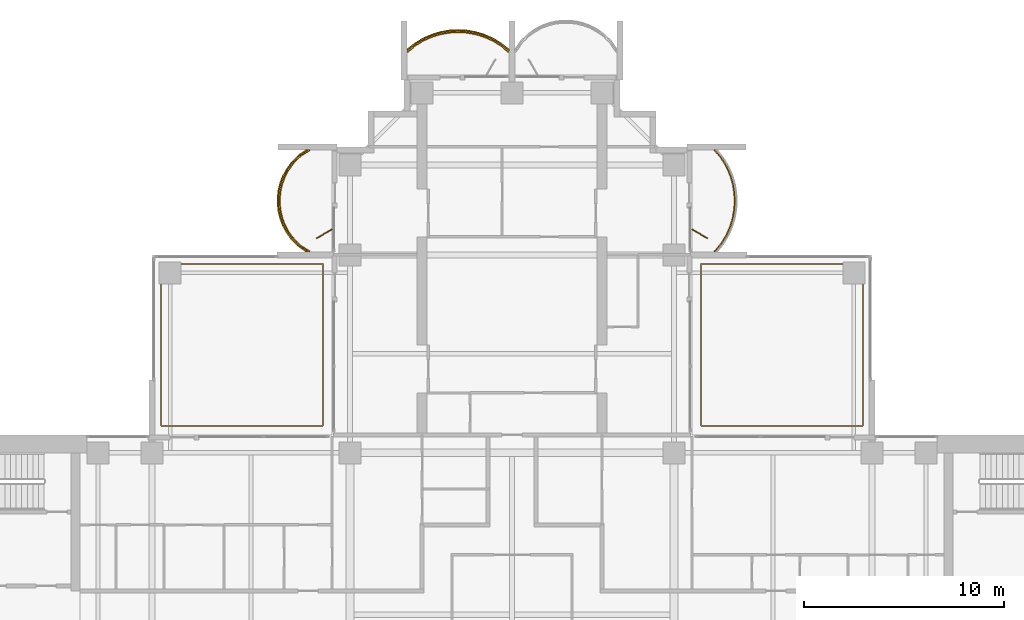
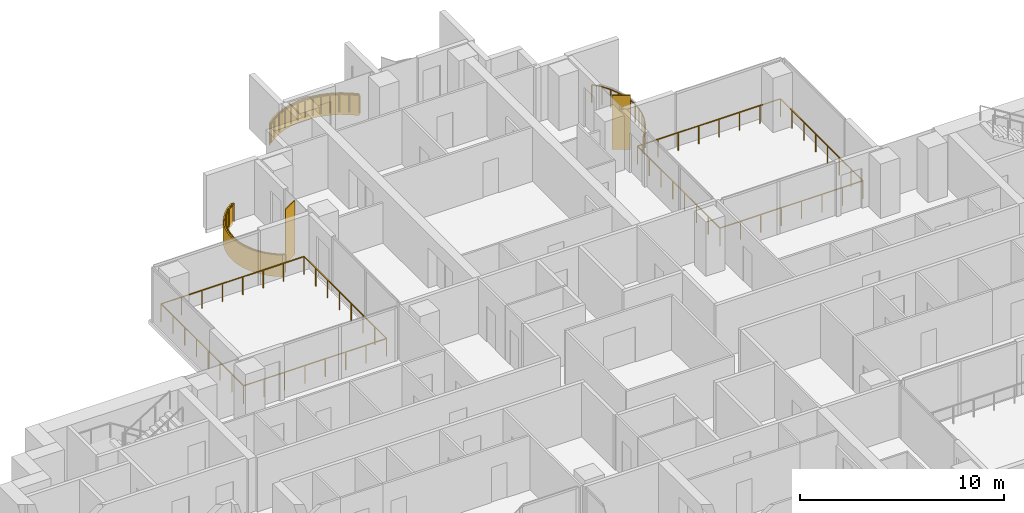
# One storey, part 17 of 18: 5 railings, 2 coverings, 2 shading devices.
"""IFC4 building model written with IfcOpenShell, lengths in metres."""

from ifc_helpers import new_model, si_unit, direction, frame, origin, origin_2d, place, context, subcontext, project, spatial, polyline, rectangle, outline, extrude, material, layer, layer_set, type_object, element, save


model = new_model("IFC4")

# Units and contexts
model_context = context("Model", 3, precision=1e-05, world=origin(), true_north=direction((0.0, 1.0)))
body_context = subcontext(model_context, "Body", "Model", "MODEL_VIEW")
ifc_project = project(units=[si_unit("LENGTHUNIT", "METRE"), si_unit("AREAUNIT", "SQUARE_METRE"), si_unit("VOLUMEUNIT", "CUBIC_METRE"), si_unit("PLANEANGLEUNIT", "RADIAN"), si_unit("MASSUNIT", "GRAM", prefix="KILO")], contexts=[model_context])

# Site, building, storey
site_placement = place(None, origin())
site = spatial("IfcSite", under=ifc_project, at=site_placement, CompositionType="ELEMENT")
building_placement = place(site_placement, origin())
building = spatial("IfcBuilding", under=site, at=building_placement, Name="Perihelion Cross Residences", CompositionType="ELEMENT")
storey_placement = place(building_placement, frame((0.0, 0.0, 133.89990234375)))
storey = spatial("IfcBuildingStorey", under=building, at=storey_placement, Name="L32", CompositionType="ELEMENT", Elevation=133.89990234375)

# Coverings
ifc_material_1 = material(Name="Bronze anodised aluminium", Category="aluminium")
ifc_layer_1 = layer(ifc_material_1, 0.070068359375)
ifc_layer_set_1 = layer_set([ifc_layer_1], Name="Balcony fascia 1300")
covering_type = type_object("IfcCoveringType", Name="Balcony fascia 1300", PredefinedType="CLADDING", material=ifc_layer_set_1)
covering_1_placement = place(storey_placement, frame((0.0, 0.0, -0.199951171875)))
element("IfcCovering", 1, at=covering_1_placement, inside=storey, type_object=covering_type, Name="Fascia BF1 L32 north tip north bay 2", PredefinedType="CLADDING", context=body_context, shape_type="SweptSolid", body=[
    extrude(outline(polyline([(-0.53515625, 28.59765625), (-0.96826171875, 28.85498046875), (-1.401123046875, 29.04248046875), (-1.833984375, 29.170654296875), (-2.26708984375, 29.245361328125), (-2.699951171875, 29.27001953125), (-3.133056640625, 29.245361328125), (-3.56591796875, 29.170654296875), (-3.998779296875, 29.04248046875), (-4.431884765625, 28.85498046875), (-4.86474609375, 28.59765625), (-5.25, 28.28955078125), (-5.25, 28.199951171875), (-4.824951171875, 28.5400390625), (-4.39990234375, 28.792724609375), (-3.97509765625, 28.9765625), (-3.550048828125, 29.1025390625), (-3.125, 29.17578125), (-2.699951171875, 29.199951171875), (-2.27490234375, 29.17578125), (-1.85009765625, 29.1025390625), (-1.425048828125, 28.9765625), (-1.0, 28.792724609375), (-0.574951171875, 28.5400390625), (-0.14990234375, 28.199951171875), (-0.14990234375, 28.28955078125), (-0.53515625, 28.59765625)])), origin(), (0.0, 0.0, 1.0), 1.300048828125),
])
covering_2_placement = place(storey_placement, frame((0.0, 0.0, -0.199951171875)))
element("IfcCovering", 2, at=covering_2_placement, inside=storey, type_object=covering_type, Name="Fascia BF1 L32 north side west bay 1", PredefinedType="CLADDING", context=body_context, shape_type="SweptSolid", body=[
    extrude(outline(polyline([(-10.722412109375, 22.963134765625), (-11.060791015625, 22.61474609375), (-11.308837890625, 22.2666015625), (-11.4912109375, 21.91845703125), (-11.620361328125, 21.5703125), (-11.703369140625, 21.22216796875), (-11.743896484375, 20.8740234375), (-11.743896484375, 20.52587890625), (-11.703369140625, 20.177734375), (-11.620361328125, 19.82958984375), (-11.4912109375, 19.4814453125), (-11.308837890625, 19.13330078125), (-11.060791015625, 18.78515625), (-10.722412109375, 18.43701171875), (-10.320556640625, 18.14990234375), (-10.199951171875, 18.14990234375), (-10.6767578125, 18.489990234375), (-11.007080078125, 18.830078125), (-11.2490234375, 19.169921875), (-11.42724609375, 19.510009765625), (-11.553466796875, 19.85009765625), (-11.63427734375, 20.18994140625), (-11.674072265625, 20.530029296875), (-11.674072265625, 20.8701171875), (-11.63427734375, 21.2099609375), (-11.553466796875, 21.550048828125), (-11.42724609375, 21.889892578125), (-11.2490234375, 22.22998046875), (-11.007080078125, 22.570068359375), (-10.6767578125, 22.909912109375), (-10.199951171875, 23.25), (-10.320556640625, 23.25), (-10.722412109375, 22.963134765625)])), origin(), (0.0, 0.0, 1.0), 1.300048828125),
])

# Railings
ifc_material_2 = material(Name="Bronze anodised aluminium", Category="aluminium")
railing_type = type_object("IfcRailingType", Name="Balcony guard 1100", PredefinedType="GUARDRAIL", material=ifc_material_2)
railing_1_placement = place(storey_placement, frame((10.139892578125, 18.175048828125, 0.0)))
element("IfcRailing", 3, at=railing_1_placement, inside=storey, type_object=railing_type, Name="Guard GU1 L32 north side east bay 2 balcony", PredefinedType="GUARDRAIL", context=body_context, shape_type="SweptSolid", body=[
    extrude(rectangle(XDim=0.048095703125, YDim=0.048095703125, at=origin_2d()), frame((0.0, 0.0, 1.076171875), z_axis=(0.647837396648, 0.761778647315, 0.0), x_axis=(-0.761778647315, 0.647837396648, 0.0)), (0.0, 0.0, 1.0), 0.52490234375),
    extrude(rectangle(XDim=0.048095703125, YDim=0.048095703125, at=origin_2d()), frame((0.340087890625, 0.39990234375, 1.076171875), z_axis=(0.511006381501, 0.859576918062, 0.0), x_axis=(-0.859576918062, 0.511006381501, 0.0)), (0.0, 0.0, 1.0), 0.494384765625),
    extrude(rectangle(XDim=0.048095703125, YDim=0.048095703125, at=origin_2d()), frame((0.5927734375, 0.824951171875, 1.076171875), z_axis=(0.397415137459, 0.917638931453, 0.0), x_axis=(-0.917638931453, 0.397415137459, 0.0)), (0.0, 0.0, 1.0), 0.463134765625),
    extrude(rectangle(XDim=0.048095703125, YDim=0.048095703125, at=origin_2d()), frame((0.77685546875, 1.25, 1.076171875), z_axis=(0.283656975924, 0.958925815697, 0.0), x_axis=(-0.958925815697, 0.283656975924, 0.0)), (0.0, 0.0, 1.0), 0.443359375),
    extrude(rectangle(XDim=0.048095703125, YDim=0.048095703125, at=origin_2d()), frame((0.902587890625, 1.675048828125, 1.076171875), z_axis=(0.170456843651, 0.985365142702, 0.0), x_axis=(-0.985365142702, 0.170456843651, 0.0)), (0.0, 0.0, 1.0), 0.43115234375),
    extrude(rectangle(XDim=0.048095703125, YDim=0.048095703125, at=origin_2d()), frame((0.97607421875, 2.099853515625, 1.076171875), z_axis=(0.056200523353, 0.9984195016, 0.0), x_axis=(-0.9984195016, 0.056200523353, 0.0)), (0.0, 0.0, 1.0), 0.42578125),
    extrude(rectangle(XDim=0.048095703125, YDim=0.048095703125, at=origin_2d()), frame((1.0, 2.52490234375, 1.076171875), z_axis=(-0.056200523353, 0.9984195016, 0.0), x_axis=(-0.9984195016, -0.056200523353, 0.0)), (0.0, 0.0, 1.0), 0.42578125),
    extrude(rectangle(XDim=0.048095703125, YDim=0.048095703125, at=origin_2d()), frame((0.97607421875, 2.949951171875, 1.076171875), z_axis=(-0.17036177859, 0.985381583142, 0.0), x_axis=(-0.985381583142, -0.17036177859, 0.0)), (0.0, 0.0, 1.0), 0.431396484375),
    extrude(rectangle(XDim=0.048095703125, YDim=0.048095703125, at=origin_2d()), frame((0.902587890625, 3.375, 1.076171875), z_axis=(-0.283656975924, 0.958925815697, 0.0), x_axis=(-0.958925815697, -0.283656975924, 0.0)), (0.0, 0.0, 1.0), 0.443359375),
    extrude(rectangle(XDim=0.048095703125, YDim=0.048095703125, at=origin_2d()), frame((0.77685546875, 3.800048828125, 1.076171875), z_axis=(-0.397607437634, 0.91755562531, 0.0), x_axis=(-0.91755562531, -0.397607437634, 0.0)), (0.0, 0.0, 1.0), 0.462890625),
    extrude(rectangle(XDim=0.048095703125, YDim=0.048095703125, at=origin_2d()), frame((0.5927734375, 4.224853515625, 1.076171875), z_axis=(-0.511006381501, 0.859576918062, 0.0), x_axis=(-0.859576918062, -0.511006381501, 0.0)), (0.0, 0.0, 1.0), 0.494384765625),
    extrude(rectangle(XDim=0.048095703125, YDim=0.048095703125, at=origin_2d()), frame((0.340087890625, 4.64990234375, 1.076171875), z_axis=(-0.647607934281, 0.761973728849, 0.0), x_axis=(-0.761973728849, -0.647607934281, 0.0)), (0.0, 0.0, 1.0), 0.525146484375),
    extrude(rectangle(XDim=0.0419921875, YDim=0.0419921875, at=origin_2d()), origin(), (0.0, 0.0, 1.0), 1.052001953125),
    extrude(rectangle(XDim=0.0419921875, YDim=0.0419921875, at=origin_2d()), frame((0.340087890625, 0.39990234375, 0.0)), (0.0, 0.0, 1.0), 1.052001953125),
    extrude(rectangle(XDim=0.0419921875, YDim=0.0419921875, at=origin_2d()), frame((0.5927734375, 0.824951171875, 0.0)), (0.0, 0.0, 1.0), 1.052001953125),
    extrude(rectangle(XDim=0.0419921875, YDim=0.0419921875, at=origin_2d()), frame((0.77685546875, 1.25, 0.0)), (0.0, 0.0, 1.0), 1.052001953125),
    extrude(rectangle(XDim=0.0419921875, YDim=0.0419921875, at=origin_2d()), frame((0.902587890625, 1.675048828125, 0.0)), (0.0, 0.0, 1.0), 1.052001953125),
    extrude(rectangle(XDim=0.0419921875, YDim=0.0419921875, at=origin_2d()), frame((0.97607421875, 2.099853515625, 0.0)), (0.0, 0.0, 1.0), 1.052001953125),
    extrude(rectangle(XDim=0.0419921875, YDim=0.0419921875, at=origin_2d()), frame((1.0, 2.52490234375, 0.0)), (0.0, 0.0, 1.0), 1.052001953125),
    extrude(rectangle(XDim=0.0419921875, YDim=0.0419921875, at=origin_2d()), frame((0.97607421875, 2.949951171875, 0.0)), (0.0, 0.0, 1.0), 1.052001953125),
    extrude(rectangle(XDim=0.0419921875, YDim=0.0419921875, at=origin_2d()), frame((0.902587890625, 3.375, 0.0)), (0.0, 0.0, 1.0), 1.052001953125),
    extrude(rectangle(XDim=0.0419921875, YDim=0.0419921875, at=origin_2d()), frame((0.77685546875, 3.800048828125, 0.0)), (0.0, 0.0, 1.0), 1.052001953125),
    extrude(rectangle(XDim=0.0419921875, YDim=0.0419921875, at=origin_2d()), frame((0.5927734375, 4.224853515625, 0.0)), (0.0, 0.0, 1.0), 1.052001953125),
    extrude(rectangle(XDim=0.0419921875, YDim=0.0419921875, at=origin_2d()), frame((0.340087890625, 4.64990234375, 0.0)), (0.0, 0.0, 1.0), 1.052001953125),
    extrude(rectangle(XDim=0.0419921875, YDim=0.0419921875, at=origin_2d()), frame((0.0, 5.050048828125, 0.0)), (0.0, 0.0, 1.0), 1.052001953125),
])
railing_2_placement = place(storey_placement, frame((-0.175048828125, 28.139892578125, 0.0)))
element("IfcRailing", 4, at=railing_2_placement, inside=storey, type_object=railing_type, Name="Guard GU1 L32 north tip north bay 2 balcony", PredefinedType="GUARDRAIL", context=body_context, shape_type="SweptSolid", body=[
    extrude(rectangle(XDim=0.048095703125, YDim=0.048095703125, at=origin_2d()), frame((0.0, 0.0, 1.076171875), z_axis=(-0.761778647315, 0.647837396648, 0.0), x_axis=(-0.647837396648, -0.761778647315, 0.0)), (0.0, 0.0, 1.0), 0.52490234375),
    extrude(rectangle(XDim=0.048095703125, YDim=0.048095703125, at=origin_2d()), frame((-0.39990234375, 0.340087890625, 1.076171875), z_axis=(-0.859576918062, 0.511006381501, 0.0), x_axis=(-0.511006381501, -0.859576918062, 0.0)), (0.0, 0.0, 1.0), 0.494384765625),
    extrude(rectangle(XDim=0.048095703125, YDim=0.048095703125, at=origin_2d()), frame((-0.824951171875, 0.5927734375, 1.076171875), z_axis=(-0.917638931453, 0.397415137459, 0.0), x_axis=(-0.397415137459, -0.917638931453, 0.0)), (0.0, 0.0, 1.0), 0.463134765625),
    extrude(rectangle(XDim=0.048095703125, YDim=0.048095703125, at=origin_2d()), frame((-1.25, 0.77685546875, 1.076171875), z_axis=(-0.958925815697, 0.283656975924, 0.0), x_axis=(-0.283656975924, -0.958925815697, 0.0)), (0.0, 0.0, 1.0), 0.443359375),
    extrude(rectangle(XDim=0.048095703125, YDim=0.048095703125, at=origin_2d()), frame((-1.675048828125, 0.902587890625, 1.076171875), z_axis=(-0.985365142702, 0.170456843651, 0.0), x_axis=(-0.170456843651, -0.985365142702, 0.0)), (0.0, 0.0, 1.0), 0.43115234375),
    extrude(rectangle(XDim=0.048095703125, YDim=0.048095703125, at=origin_2d()), frame((-2.099853515625, 0.97607421875, 1.076171875), z_axis=(-0.9984195016, 0.056200523353, 0.0), x_axis=(-0.056200523353, -0.9984195016, 0.0)), (0.0, 0.0, 1.0), 0.42578125),
    extrude(rectangle(XDim=0.048095703125, YDim=0.048095703125, at=origin_2d()), frame((-2.52490234375, 1.0, 1.076171875), z_axis=(-0.9984195016, -0.056200523353, 0.0), x_axis=(0.056200523353, -0.9984195016, 0.0)), (0.0, 0.0, 1.0), 0.42578125),
    extrude(rectangle(XDim=0.048095703125, YDim=0.048095703125, at=origin_2d()), frame((-2.949951171875, 0.97607421875, 1.076171875), z_axis=(-0.985381583142, -0.17036177859, 0.0), x_axis=(0.17036177859, -0.985381583142, 0.0)), (0.0, 0.0, 1.0), 0.431396484375),
    extrude(rectangle(XDim=0.048095703125, YDim=0.048095703125, at=origin_2d()), frame((-3.375, 0.902587890625, 1.076171875), z_axis=(-0.958925815697, -0.283656975924, 0.0), x_axis=(0.283656975924, -0.958925815697, 0.0)), (0.0, 0.0, 1.0), 0.443359375),
    extrude(rectangle(XDim=0.048095703125, YDim=0.048095703125, at=origin_2d()), frame((-3.800048828125, 0.77685546875, 1.076171875), z_axis=(-0.91755562531, -0.397607437634, 0.0), x_axis=(0.397607437634, -0.91755562531, 0.0)), (0.0, 0.0, 1.0), 0.462890625),
    extrude(rectangle(XDim=0.048095703125, YDim=0.048095703125, at=origin_2d()), frame((-4.224853515625, 0.5927734375, 1.076171875), z_axis=(-0.859576918062, -0.511006381501, 0.0), x_axis=(0.511006381501, -0.859576918062, 0.0)), (0.0, 0.0, 1.0), 0.494384765625),
    extrude(rectangle(XDim=0.048095703125, YDim=0.048095703125, at=origin_2d()), frame((-4.64990234375, 0.340087890625, 1.076171875), z_axis=(-0.761973728849, -0.647607934281, 0.0), x_axis=(0.647607934281, -0.761973728849, 0.0)), (0.0, 0.0, 1.0), 0.525146484375),
    extrude(rectangle(XDim=0.0419921875, YDim=0.0419921875, at=origin_2d()), origin(), (0.0, 0.0, 1.0), 1.052001953125),
    extrude(rectangle(XDim=0.0419921875, YDim=0.0419921875, at=origin_2d()), frame((-0.39990234375, 0.340087890625, 0.0)), (0.0, 0.0, 1.0), 1.052001953125),
    extrude(rectangle(XDim=0.0419921875, YDim=0.0419921875, at=origin_2d()), frame((-0.824951171875, 0.5927734375, 0.0)), (0.0, 0.0, 1.0), 1.052001953125),
    extrude(rectangle(XDim=0.0419921875, YDim=0.0419921875, at=origin_2d()), frame((-1.25, 0.77685546875, 0.0)), (0.0, 0.0, 1.0), 1.052001953125),
    extrude(rectangle(XDim=0.0419921875, YDim=0.0419921875, at=origin_2d()), frame((-1.675048828125, 0.902587890625, 0.0)), (0.0, 0.0, 1.0), 1.052001953125),
    extrude(rectangle(XDim=0.0419921875, YDim=0.0419921875, at=origin_2d()), frame((-2.099853515625, 0.97607421875, 0.0)), (0.0, 0.0, 1.0), 1.052001953125),
    extrude(rectangle(XDim=0.0419921875, YDim=0.0419921875, at=origin_2d()), frame((-2.52490234375, 1.0, 0.0)), (0.0, 0.0, 1.0), 1.052001953125),
    extrude(rectangle(XDim=0.0419921875, YDim=0.0419921875, at=origin_2d()), frame((-2.949951171875, 0.97607421875, 0.0)), (0.0, 0.0, 1.0), 1.052001953125),
    extrude(rectangle(XDim=0.0419921875, YDim=0.0419921875, at=origin_2d()), frame((-3.375, 0.902587890625, 0.0)), (0.0, 0.0, 1.0), 1.052001953125),
    extrude(rectangle(XDim=0.0419921875, YDim=0.0419921875, at=origin_2d()), frame((-3.800048828125, 0.77685546875, 0.0)), (0.0, 0.0, 1.0), 1.052001953125),
    extrude(rectangle(XDim=0.0419921875, YDim=0.0419921875, at=origin_2d()), frame((-4.224853515625, 0.5927734375, 0.0)), (0.0, 0.0, 1.0), 1.052001953125),
    extrude(rectangle(XDim=0.0419921875, YDim=0.0419921875, at=origin_2d()), frame((-4.64990234375, 0.340087890625, 0.0)), (0.0, 0.0, 1.0), 1.052001953125),
    extrude(rectangle(XDim=0.0419921875, YDim=0.0419921875, at=origin_2d()), frame((-5.050048828125, 0.0, 0.0)), (0.0, 0.0, 1.0), 1.052001953125),
])
railing_3_placement = place(storey_placement, frame((-10.139892578125, 23.22509765625, 0.0)))
element("IfcRailing", 5, at=railing_3_placement, inside=storey, type_object=railing_type, Name="Guard GU1 L32 north side west bay 1 balcony", PredefinedType="GUARDRAIL", context=body_context, shape_type="SweptSolid", body=[
    extrude(rectangle(XDim=0.048095703125, YDim=0.048095703125, at=origin_2d()), frame((0.0, 0.0, 1.076171875), z_axis=(-0.834212513801, -0.55144309028, 0.0), x_axis=(0.55144309028, -0.834212513801, 0.0)), (0.0, 0.0, 1.0), 0.571533203125),
    extrude(rectangle(XDim=0.048095703125, YDim=0.048095703125, at=origin_2d()), frame((-0.476806640625, -0.315185546875, 1.076171875), z_axis=(-0.696990112603, -0.717080736691, 0.0), x_axis=(0.717080736691, -0.696990112603, 0.0)), (0.0, 0.0, 1.0), 0.473876953125),
    extrude(rectangle(XDim=0.048095703125, YDim=0.048095703125, at=origin_2d()), frame((-0.80712890625, -0.655029296875, 1.076171875), z_axis=(-0.580075995532, -0.814562360662, 0.0), x_axis=(0.814562360662, -0.580075995532, 0.0)), (0.0, 0.0, 1.0), 0.41748046875),
    extrude(rectangle(XDim=0.048095703125, YDim=0.048095703125, at=origin_2d()), frame((-1.04931640625, -0.9951171875, 1.076171875), z_axis=(-0.463674228502, -0.886005761733, 0.0), x_axis=(0.886005761733, -0.463674228502, 0.0)), (0.0, 0.0, 1.0), 0.3837890625),
    extrude(rectangle(XDim=0.048095703125, YDim=0.048095703125, at=origin_2d()), frame((-1.227294921875, -1.335205078125, 1.076171875), z_axis=(-0.348169621027, -0.937431552165, 0.0), x_axis=(0.937431552165, -0.348169621027, 0.0)), (0.0, 0.0, 1.0), 0.362548828125),
    extrude(rectangle(XDim=0.048095703125, YDim=0.048095703125, at=origin_2d()), frame((-1.353515625, -1.675048828125, 1.076171875), z_axis=(-0.231840805498, -0.972753741142, 0.0), x_axis=(0.972753741142, -0.231840805498, 0.0)), (0.0, 0.0, 1.0), 0.349609375),
    extrude(rectangle(XDim=0.048095703125, YDim=0.048095703125, at=origin_2d()), frame((-1.4345703125, -2.01513671875, 1.076171875), z_axis=(-0.11559909788, -0.993295952156, 0.0), x_axis=(0.993295952156, -0.11559909788, 0.0)), (0.0, 0.0, 1.0), 0.342041015625),
    extrude(rectangle(XDim=0.048095703125, YDim=0.048095703125, at=origin_2d()), frame((-1.47412109375, -2.35498046875, 1.076171875), z_axis=(0.0, -1.0, 0.0), x_axis=(1.0, 0.0, 0.0)), (0.0, 0.0, 1.0), 0.340087890625),
    extrude(rectangle(XDim=0.048095703125, YDim=0.048095703125, at=origin_2d()), frame((-1.47412109375, -2.695068359375, 1.076171875), z_axis=(0.11551721994, -0.993305477634, 0.0), x_axis=(0.993305477634, 0.11551721994, 0.0)), (0.0, 0.0, 1.0), 0.34228515625),
    extrude(rectangle(XDim=0.048095703125, YDim=0.048095703125, at=origin_2d()), frame((-1.4345703125, -3.03515625, 1.076171875), z_axis=(0.231998396458, -0.972716168284, 0.0), x_axis=(0.972716168284, 0.231998396458, 0.0)), (0.0, 0.0, 1.0), 0.349365234375),
    extrude(rectangle(XDim=0.048095703125, YDim=0.048095703125, at=origin_2d()), frame((-1.353515625, -3.375, 1.076171875), z_axis=(0.347949948587, -0.93751311099, 0.0), x_axis=(0.93751311099, 0.347949948587, 0.0)), (0.0, 0.0, 1.0), 0.36279296875),
    extrude(rectangle(XDim=0.048095703125, YDim=0.048095703125, at=origin_2d()), frame((-1.227294921875, -3.715087890625, 1.076171875), z_axis=(0.463674228502, -0.886005761733, 0.0), x_axis=(0.886005761733, 0.463674228502, 0.0)), (0.0, 0.0, 1.0), 0.3837890625),
    extrude(rectangle(XDim=0.048095703125, YDim=0.048095703125, at=origin_2d()), frame((-1.04931640625, -4.05517578125, 1.076171875), z_axis=(0.580352394782, -0.814365457194, 0.0), x_axis=(0.814365457194, 0.580352394782, 0.0)), (0.0, 0.0, 1.0), 0.417236328125),
    extrude(rectangle(XDim=0.048095703125, YDim=0.048095703125, at=origin_2d()), frame((-0.80712890625, -4.39501953125, 1.076171875), z_axis=(0.69673269466, -0.717330852669, 0.0), x_axis=(0.717330852669, 0.69673269466, 0.0)), (0.0, 0.0, 1.0), 0.47412109375),
    extrude(rectangle(XDim=0.048095703125, YDim=0.048095703125, at=origin_2d()), frame((-0.476806640625, -4.735107421875, 1.076171875), z_axis=(0.834409002258, -0.551145731138, 0.0), x_axis=(0.551145731138, 0.834409002258, 0.0)), (0.0, 0.0, 1.0), 0.571533203125),
    extrude(rectangle(XDim=0.0419921875, YDim=0.0419921875, at=origin_2d()), origin(), (0.0, 0.0, 1.0), 1.052001953125),
    extrude(rectangle(XDim=0.0419921875, YDim=0.0419921875, at=origin_2d()), frame((-0.476806640625, -0.315185546875, 0.0)), (0.0, 0.0, 1.0), 1.052001953125),
    extrude(rectangle(XDim=0.0419921875, YDim=0.0419921875, at=origin_2d()), frame((-0.80712890625, -0.655029296875, 0.0)), (0.0, 0.0, 1.0), 1.052001953125),
    extrude(rectangle(XDim=0.0419921875, YDim=0.0419921875, at=origin_2d()), frame((-1.04931640625, -0.9951171875, 0.0)), (0.0, 0.0, 1.0), 1.052001953125),
    extrude(rectangle(XDim=0.0419921875, YDim=0.0419921875, at=origin_2d()), frame((-1.227294921875, -1.335205078125, 0.0)), (0.0, 0.0, 1.0), 1.052001953125),
    extrude(rectangle(XDim=0.0419921875, YDim=0.0419921875, at=origin_2d()), frame((-1.353515625, -1.675048828125, 0.0)), (0.0, 0.0, 1.0), 1.052001953125),
    extrude(rectangle(XDim=0.0419921875, YDim=0.0419921875, at=origin_2d()), frame((-1.4345703125, -2.01513671875, 0.0)), (0.0, 0.0, 1.0), 1.052001953125),
    extrude(rectangle(XDim=0.0419921875, YDim=0.0419921875, at=origin_2d()), frame((-1.47412109375, -2.35498046875, 0.0)), (0.0, 0.0, 1.0), 1.052001953125),
    extrude(rectangle(XDim=0.0419921875, YDim=0.0419921875, at=origin_2d()), frame((-1.47412109375, -2.695068359375, 0.0)), (0.0, 0.0, 1.0), 1.052001953125),
    extrude(rectangle(XDim=0.0419921875, YDim=0.0419921875, at=origin_2d()), frame((-1.4345703125, -3.03515625, 0.0)), (0.0, 0.0, 1.0), 1.052001953125),
    extrude(rectangle(XDim=0.0419921875, YDim=0.0419921875, at=origin_2d()), frame((-1.353515625, -3.375, 0.0)), (0.0, 0.0, 1.0), 1.052001953125),
    extrude(rectangle(XDim=0.0419921875, YDim=0.0419921875, at=origin_2d()), frame((-1.227294921875, -3.715087890625, 0.0)), (0.0, 0.0, 1.0), 1.052001953125),
    extrude(rectangle(XDim=0.0419921875, YDim=0.0419921875, at=origin_2d()), frame((-1.04931640625, -4.05517578125, 0.0)), (0.0, 0.0, 1.0), 1.052001953125),
    extrude(rectangle(XDim=0.0419921875, YDim=0.0419921875, at=origin_2d()), frame((-0.80712890625, -4.39501953125, 0.0)), (0.0, 0.0, 1.0), 1.052001953125),
    extrude(rectangle(XDim=0.0419921875, YDim=0.0419921875, at=origin_2d()), frame((-0.476806640625, -4.735107421875, 0.0)), (0.0, 0.0, 1.0), 1.052001953125),
    extrude(rectangle(XDim=0.0419921875, YDim=0.0419921875, at=origin_2d()), frame((0.0, -5.050048828125, 0.0)), (0.0, 0.0, 1.0), 1.052001953125),
])
railing_4_placement = place(storey_placement, frame((17.550048828125, 9.449951171875, 0.0)))
element("IfcRailing", 6, at=railing_4_placement, inside=storey, type_object=railing_type, Name="Guard GU1 L32 pocket north-east 1", PredefinedType="GUARDRAIL", context=body_context, shape_type="SweptSolid", body=[
    extrude(rectangle(XDim=0.048095703125, YDim=0.048095703125, at=origin_2d()), frame((0.0, 0.0, 1.076171875), z_axis=(-1.0, 0.0, 0.0), x_axis=(0.0, -1.0, 0.0)), (0.0, 0.0, 1.0), 8.10009765625),
    extrude(rectangle(XDim=0.048095703125, YDim=0.048095703125, at=origin_2d()), frame((-8.10009765625, 0.0, 1.076171875), z_axis=(0.0, 1.0, 0.0), x_axis=(-1.0, 0.0, 0.0)), (0.0, 0.0, 1.0), 8.10009765625),
    extrude(rectangle(XDim=0.048095703125, YDim=0.048095703125, at=origin_2d()), frame((-8.10009765625, 8.10009765625, 1.076171875), z_axis=(1.0, 0.0, 0.0), x_axis=(0.0, 1.0, 0.0)), (0.0, 0.0, 1.0), 8.10009765625),
    extrude(rectangle(XDim=0.048095703125, YDim=0.048095703125, at=origin_2d()), frame((0.0, 8.10009765625, 1.076171875), z_axis=(0.0, -1.0, 0.0), x_axis=(1.0, 0.0, 0.0)), (0.0, 0.0, 1.0), 8.10009765625),
    extrude(rectangle(XDim=0.0419921875, YDim=0.0419921875, at=origin_2d()), origin(), (0.0, 0.0, 1.0), 1.052001953125),
    extrude(rectangle(XDim=0.0419921875, YDim=0.0419921875, at=origin_2d()), frame((-1.1572265625, 0.0, 0.0)), (0.0, 0.0, 1.0), 1.052001953125),
    extrude(rectangle(XDim=0.0419921875, YDim=0.0419921875, at=origin_2d()), frame((-2.314208984375, 0.0, 0.0)), (0.0, 0.0, 1.0), 1.052001953125),
    extrude(rectangle(XDim=0.0419921875, YDim=0.0419921875, at=origin_2d()), frame((-3.471435546875, 0.0, 0.0)), (0.0, 0.0, 1.0), 1.052001953125),
    extrude(rectangle(XDim=0.0419921875, YDim=0.0419921875, at=origin_2d()), frame((-4.628662109375, 0.0, 0.0)), (0.0, 0.0, 1.0), 1.052001953125),
    extrude(rectangle(XDim=0.0419921875, YDim=0.0419921875, at=origin_2d()), frame((-5.785888671875, 0.0, 0.0)), (0.0, 0.0, 1.0), 1.052001953125),
    extrude(rectangle(XDim=0.0419921875, YDim=0.0419921875, at=origin_2d()), frame((-6.94287109375, 0.0, 0.0)), (0.0, 0.0, 1.0), 1.052001953125),
    extrude(rectangle(XDim=0.0419921875, YDim=0.0419921875, at=origin_2d()), frame((-8.10009765625, 0.0, 0.0)), (0.0, 0.0, 1.0), 1.052001953125),
    extrude(rectangle(XDim=0.0419921875, YDim=0.0419921875, at=origin_2d()), frame((-8.10009765625, 1.1572265625, 0.0)), (0.0, 0.0, 1.0), 1.052001953125),
    extrude(rectangle(XDim=0.0419921875, YDim=0.0419921875, at=origin_2d()), frame((-8.10009765625, 2.314208984375, 0.0)), (0.0, 0.0, 1.0), 1.052001953125),
    extrude(rectangle(XDim=0.0419921875, YDim=0.0419921875, at=origin_2d()), frame((-8.10009765625, 3.471435546875, 0.0)), (0.0, 0.0, 1.0), 1.052001953125),
    extrude(rectangle(XDim=0.0419921875, YDim=0.0419921875, at=origin_2d()), frame((-8.10009765625, 4.628662109375, 0.0)), (0.0, 0.0, 1.0), 1.052001953125),
    extrude(rectangle(XDim=0.0419921875, YDim=0.0419921875, at=origin_2d()), frame((-8.10009765625, 5.785888671875, 0.0)), (0.0, 0.0, 1.0), 1.052001953125),
    extrude(rectangle(XDim=0.0419921875, YDim=0.0419921875, at=origin_2d()), frame((-8.10009765625, 6.94287109375, 0.0)), (0.0, 0.0, 1.0), 1.052001953125),
    extrude(rectangle(XDim=0.0419921875, YDim=0.0419921875, at=origin_2d()), frame((-8.10009765625, 8.10009765625, 0.0)), (0.0, 0.0, 1.0), 1.052001953125),
    extrude(rectangle(XDim=0.0419921875, YDim=0.0419921875, at=origin_2d()), frame((-6.94287109375, 8.10009765625, 0.0)), (0.0, 0.0, 1.0), 1.052001953125),
    extrude(rectangle(XDim=0.0419921875, YDim=0.0419921875, at=origin_2d()), frame((-5.785888671875, 8.10009765625, 0.0)), (0.0, 0.0, 1.0), 1.052001953125),
    extrude(rectangle(XDim=0.0419921875, YDim=0.0419921875, at=origin_2d()), frame((-4.628662109375, 8.10009765625, 0.0)), (0.0, 0.0, 1.0), 1.052001953125),
    extrude(rectangle(XDim=0.0419921875, YDim=0.0419921875, at=origin_2d()), frame((-3.471435546875, 8.10009765625, 0.0)), (0.0, 0.0, 1.0), 1.052001953125),
    extrude(rectangle(XDim=0.0419921875, YDim=0.0419921875, at=origin_2d()), frame((-2.314208984375, 8.10009765625, 0.0)), (0.0, 0.0, 1.0), 1.052001953125),
    extrude(rectangle(XDim=0.0419921875, YDim=0.0419921875, at=origin_2d()), frame((-1.1572265625, 8.10009765625, 0.0)), (0.0, 0.0, 1.0), 1.052001953125),
    extrude(rectangle(XDim=0.0419921875, YDim=0.0419921875, at=origin_2d()), frame((0.0, 8.10009765625, 0.0)), (0.0, 0.0, 1.0), 1.052001953125),
    extrude(rectangle(XDim=0.0419921875, YDim=0.0419921875, at=origin_2d()), frame((0.0, 6.94287109375, 0.0)), (0.0, 0.0, 1.0), 1.052001953125),
    extrude(rectangle(XDim=0.0419921875, YDim=0.0419921875, at=origin_2d()), frame((0.0, 5.785888671875, 0.0)), (0.0, 0.0, 1.0), 1.052001953125),
    extrude(rectangle(XDim=0.0419921875, YDim=0.0419921875, at=origin_2d()), frame((0.0, 4.628662109375, 0.0)), (0.0, 0.0, 1.0), 1.052001953125),
    extrude(rectangle(XDim=0.0419921875, YDim=0.0419921875, at=origin_2d()), frame((0.0, 3.471435546875, 0.0)), (0.0, 0.0, 1.0), 1.052001953125),
    extrude(rectangle(XDim=0.0419921875, YDim=0.0419921875, at=origin_2d()), frame((0.0, 2.314208984375, 0.0)), (0.0, 0.0, 1.0), 1.052001953125),
    extrude(rectangle(XDim=0.0419921875, YDim=0.0419921875, at=origin_2d()), frame((0.0, 1.1572265625, 0.0)), (0.0, 0.0, 1.0), 1.052001953125),
])
railing_5_placement = place(storey_placement, frame((-9.449951171875, 9.449951171875, 0.0)))
element("IfcRailing", 7, at=railing_5_placement, inside=storey, type_object=railing_type, Name="Guard GU1 L32 pocket north-west 1", PredefinedType="GUARDRAIL", context=body_context, shape_type="SweptSolid", body=[
    extrude(rectangle(XDim=0.048095703125, YDim=0.048095703125, at=origin_2d()), frame((0.0, 0.0, 1.076171875), z_axis=(-1.0, 0.0, 0.0), x_axis=(0.0, -1.0, 0.0)), (0.0, 0.0, 1.0), 8.10009765625),
    extrude(rectangle(XDim=0.048095703125, YDim=0.048095703125, at=origin_2d()), frame((-8.10009765625, 0.0, 1.076171875), z_axis=(0.0, 1.0, 0.0), x_axis=(-1.0, 0.0, 0.0)), (0.0, 0.0, 1.0), 8.10009765625),
    extrude(rectangle(XDim=0.048095703125, YDim=0.048095703125, at=origin_2d()), frame((-8.10009765625, 8.10009765625, 1.076171875), z_axis=(1.0, 0.0, 0.0), x_axis=(0.0, 1.0, 0.0)), (0.0, 0.0, 1.0), 8.10009765625),
    extrude(rectangle(XDim=0.048095703125, YDim=0.048095703125, at=origin_2d()), frame((0.0, 8.10009765625, 1.076171875), z_axis=(0.0, -1.0, 0.0), x_axis=(1.0, 0.0, 0.0)), (0.0, 0.0, 1.0), 8.10009765625),
    extrude(rectangle(XDim=0.0419921875, YDim=0.0419921875, at=origin_2d()), origin(), (0.0, 0.0, 1.0), 1.052001953125),
    extrude(rectangle(XDim=0.0419921875, YDim=0.0419921875, at=origin_2d()), frame((-1.1572265625, 0.0, 0.0)), (0.0, 0.0, 1.0), 1.052001953125),
    extrude(rectangle(XDim=0.0419921875, YDim=0.0419921875, at=origin_2d()), frame((-2.314208984375, 0.0, 0.0)), (0.0, 0.0, 1.0), 1.052001953125),
    extrude(rectangle(XDim=0.0419921875, YDim=0.0419921875, at=origin_2d()), frame((-3.471435546875, 0.0, 0.0)), (0.0, 0.0, 1.0), 1.052001953125),
    extrude(rectangle(XDim=0.0419921875, YDim=0.0419921875, at=origin_2d()), frame((-4.628662109375, 0.0, 0.0)), (0.0, 0.0, 1.0), 1.052001953125),
    extrude(rectangle(XDim=0.0419921875, YDim=0.0419921875, at=origin_2d()), frame((-5.785888671875, 0.0, 0.0)), (0.0, 0.0, 1.0), 1.052001953125),
    extrude(rectangle(XDim=0.0419921875, YDim=0.0419921875, at=origin_2d()), frame((-6.94287109375, 0.0, 0.0)), (0.0, 0.0, 1.0), 1.052001953125),
    extrude(rectangle(XDim=0.0419921875, YDim=0.0419921875, at=origin_2d()), frame((-8.10009765625, 0.0, 0.0)), (0.0, 0.0, 1.0), 1.052001953125),
    extrude(rectangle(XDim=0.0419921875, YDim=0.0419921875, at=origin_2d()), frame((-8.10009765625, 1.1572265625, 0.0)), (0.0, 0.0, 1.0), 1.052001953125),
    extrude(rectangle(XDim=0.0419921875, YDim=0.0419921875, at=origin_2d()), frame((-8.10009765625, 2.314208984375, 0.0)), (0.0, 0.0, 1.0), 1.052001953125),
    extrude(rectangle(XDim=0.0419921875, YDim=0.0419921875, at=origin_2d()), frame((-8.10009765625, 3.471435546875, 0.0)), (0.0, 0.0, 1.0), 1.052001953125),
    extrude(rectangle(XDim=0.0419921875, YDim=0.0419921875, at=origin_2d()), frame((-8.10009765625, 4.628662109375, 0.0)), (0.0, 0.0, 1.0), 1.052001953125),
    extrude(rectangle(XDim=0.0419921875, YDim=0.0419921875, at=origin_2d()), frame((-8.10009765625, 5.785888671875, 0.0)), (0.0, 0.0, 1.0), 1.052001953125),
    extrude(rectangle(XDim=0.0419921875, YDim=0.0419921875, at=origin_2d()), frame((-8.10009765625, 6.94287109375, 0.0)), (0.0, 0.0, 1.0), 1.052001953125),
    extrude(rectangle(XDim=0.0419921875, YDim=0.0419921875, at=origin_2d()), frame((-8.10009765625, 8.10009765625, 0.0)), (0.0, 0.0, 1.0), 1.052001953125),
    extrude(rectangle(XDim=0.0419921875, YDim=0.0419921875, at=origin_2d()), frame((-6.94287109375, 8.10009765625, 0.0)), (0.0, 0.0, 1.0), 1.052001953125),
    extrude(rectangle(XDim=0.0419921875, YDim=0.0419921875, at=origin_2d()), frame((-5.785888671875, 8.10009765625, 0.0)), (0.0, 0.0, 1.0), 1.052001953125),
    extrude(rectangle(XDim=0.0419921875, YDim=0.0419921875, at=origin_2d()), frame((-4.628662109375, 8.10009765625, 0.0)), (0.0, 0.0, 1.0), 1.052001953125),
    extrude(rectangle(XDim=0.0419921875, YDim=0.0419921875, at=origin_2d()), frame((-3.471435546875, 8.10009765625, 0.0)), (0.0, 0.0, 1.0), 1.052001953125),
    extrude(rectangle(XDim=0.0419921875, YDim=0.0419921875, at=origin_2d()), frame((-2.314208984375, 8.10009765625, 0.0)), (0.0, 0.0, 1.0), 1.052001953125),
    extrude(rectangle(XDim=0.0419921875, YDim=0.0419921875, at=origin_2d()), frame((-1.1572265625, 8.10009765625, 0.0)), (0.0, 0.0, 1.0), 1.052001953125),
    extrude(rectangle(XDim=0.0419921875, YDim=0.0419921875, at=origin_2d()), frame((0.0, 8.10009765625, 0.0)), (0.0, 0.0, 1.0), 1.052001953125),
    extrude(rectangle(XDim=0.0419921875, YDim=0.0419921875, at=origin_2d()), frame((0.0, 6.94287109375, 0.0)), (0.0, 0.0, 1.0), 1.052001953125),
    extrude(rectangle(XDim=0.0419921875, YDim=0.0419921875, at=origin_2d()), frame((0.0, 5.785888671875, 0.0)), (0.0, 0.0, 1.0), 1.052001953125),
    extrude(rectangle(XDim=0.0419921875, YDim=0.0419921875, at=origin_2d()), frame((0.0, 4.628662109375, 0.0)), (0.0, 0.0, 1.0), 1.052001953125),
    extrude(rectangle(XDim=0.0419921875, YDim=0.0419921875, at=origin_2d()), frame((0.0, 3.471435546875, 0.0)), (0.0, 0.0, 1.0), 1.052001953125),
    extrude(rectangle(XDim=0.0419921875, YDim=0.0419921875, at=origin_2d()), frame((0.0, 2.314208984375, 0.0)), (0.0, 0.0, 1.0), 1.052001953125),
    extrude(rectangle(XDim=0.0419921875, YDim=0.0419921875, at=origin_2d()), frame((0.0, 1.1572265625, 0.0)), (0.0, 0.0, 1.0), 1.052001953125),
])

# Shading devices
ifc_material_3 = material(Name="Bronze anodised aluminium", Category="aluminium")
ifc_layer_2 = layer(ifc_material_3, 0.050048828125)
ifc_layer_set_2 = layer_set([ifc_layer_2], Name="Bronze fin 900")
shading_device_type = type_object("IfcShadingDeviceType", Name="Bronze fin 900", PredefinedType="USERDEFINED", material=ifc_layer_set_2)
for number, where, z_axis, x_axis, name in (
    (8, (9.3896484375, 19.050048828125, 0.0), (0.0, 0.0, 1.0), (0.866025403784, -0.5, 0.0), "Fin FN1 L32 north side east bay 2"),
    (9, (-9.3896484375, 19.050048828125, 0.0), (0.0, 0.0, 1.0), (-0.866025403784, -0.5, 0.0), "Fin FN1 L32 north side west bay 1"),
):
    element("IfcShadingDevice", number, at=place(storey_placement, frame(where, z_axis=z_axis, x_axis=x_axis)), inside=storey, type_object=shading_device_type, Name=name, ObjectType="FIN", PredefinedType="USERDEFINED", context=body_context, shape_type="SweptSolid", body=[
        extrude(rectangle(XDim=0.89990234375, YDim=0.050048828125, at=origin_2d()), origin(), (0.0, 0.0, 1.0), 3.25),
    ])

save(model, "model.ifc")
